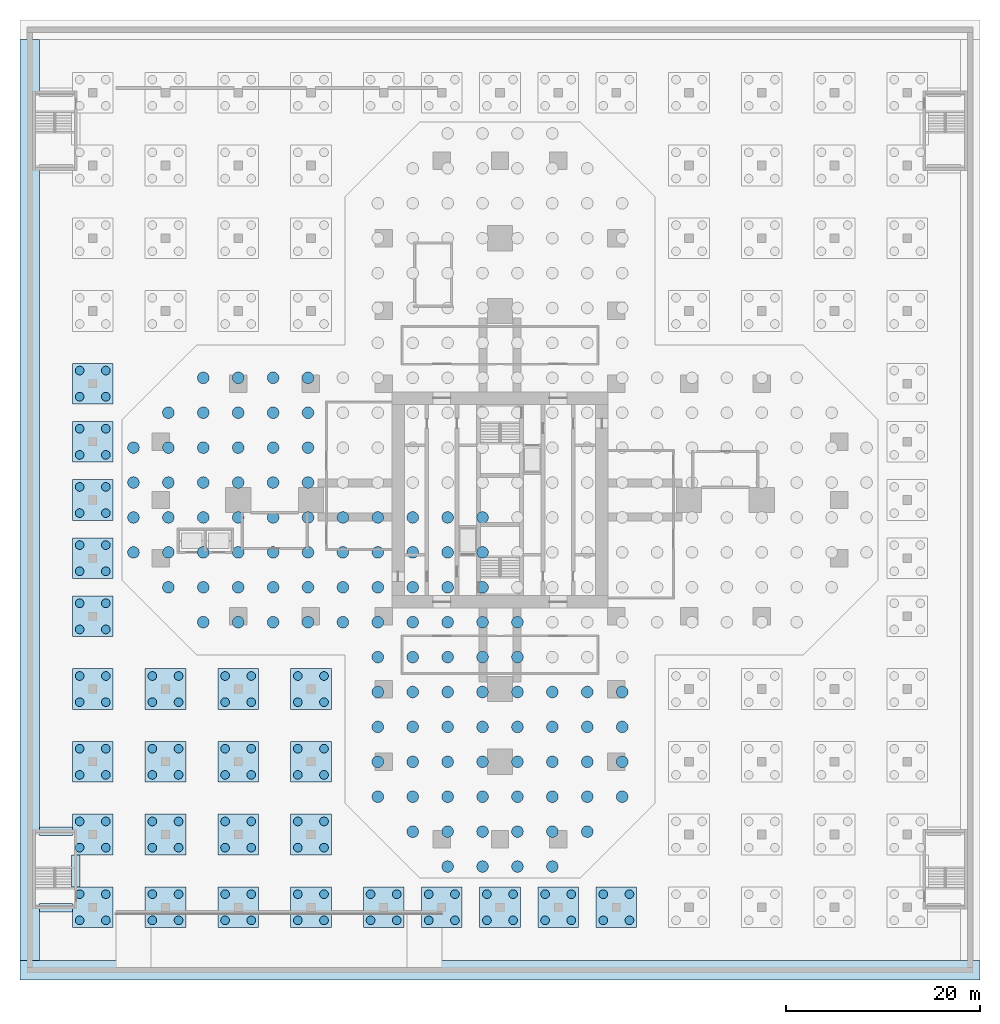
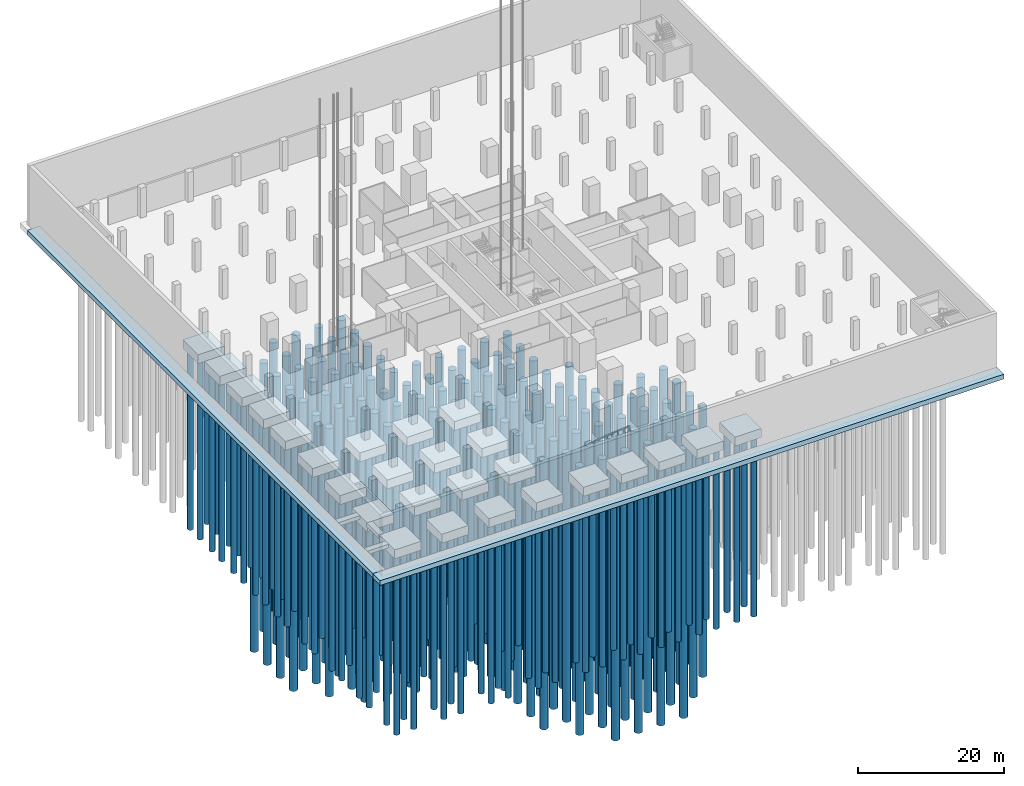
# One storey, part 1 of 31: 214 piles, 31 footings.
"""IFC4 building model written with IfcOpenShell, lengths in metres."""

from ifc_helpers import new_model, si_unit, direction, frame, origin, origin_2d, place, context, subcontext, project, spatial, rectangle, circle, extrude, material, layer, layer_set, material_profile, profile_set, type_object, element, save


model = new_model("IFC4")

# Units and contexts
model_context = context("Model", 3, precision=1e-05, world=origin(), true_north=direction((0.0, 1.0)))
body_context = subcontext(model_context, "Body", "Model", "MODEL_VIEW")
ifc_project = project(units=[si_unit("LENGTHUNIT", "METRE"), si_unit("AREAUNIT", "SQUARE_METRE"), si_unit("VOLUMEUNIT", "CUBIC_METRE"), si_unit("PLANEANGLEUNIT", "RADIAN"), si_unit("MASSUNIT", "GRAM", prefix="KILO")], contexts=[model_context])

# Site, building, storey
site_placement = place(None, origin())
site = spatial("IfcSite", under=ifc_project, at=site_placement, CompositionType="ELEMENT")
building_placement = place(site_placement, origin())
building = spatial("IfcBuilding", under=site, at=building_placement, Name="Mizan Broadcast Tower", CompositionType="ELEMENT")
storey_placement = place(building_placement, frame((0.0, 0.0, -10.0)))
storey = spatial("IfcBuildingStorey", under=building, at=storey_placement, Name="B2", CompositionType="ELEMENT", Elevation=-10.0)

# Piles
ifc_material_1 = material(Name="Concrete C40/50", Category="concrete")
ifc_material_profile_1 = material_profile(ifc_material_1, circle(Radius=0.60009765625, at=origin_2d()), Name="D1200")
ifc_profile_set_1 = profile_set([ifc_material_profile_1], Name="Concrete C40/50")
pile_type_1 = type_object("IfcPileType", Name="BORED PILE D1200", PredefinedType="BORED", material=ifc_profile_set_1)
for number, where, z_axis, x_axis, name in (
    (1, (-5.39990234375, -37.800048828125, -4.5), (0.0, 0.0, -1.0), (1.0, 0.0, 0.0), "Bored pile P1-001"),
    (2, (-1.800048828125, -37.800048828125, -4.5), (0.0, 0.0, -1.0), (1.0, 0.0, 0.0), "Bored pile P1-002"),
    (3, (1.800048828125, -37.800048828125, -4.5), (0.0, 0.0, -1.0), (1.0, 0.0, 0.0), "Bored pile P1-003"),
    (4, (5.39990234375, -37.800048828125, -4.5), (0.0, 0.0, -1.0), (1.0, 0.0, 0.0), "Bored pile P1-004"),
    (5, (-9.0, -34.199951171875, -4.5), (0.0, 0.0, -1.0), (1.0, 0.0, 0.0), "Bored pile P1-005"),
    (6, (-5.39990234375, -34.199951171875, -4.5), (0.0, 0.0, -1.0), (1.0, 0.0, 0.0), "Bored pile P1-006"),
    (7, (-1.800048828125, -34.199951171875, -4.5), (0.0, 0.0, -1.0), (1.0, 0.0, 0.0), "Bored pile P1-007"),
    (8, (1.800048828125, -34.199951171875, -4.5), (0.0, 0.0, -1.0), (1.0, 0.0, 0.0), "Bored pile P1-008"),
    (9, (5.39990234375, -34.199951171875, -4.5), (0.0, 0.0, -1.0), (1.0, 0.0, 0.0), "Bored pile P1-009"),
    (10, (9.0, -34.199951171875, -4.5), (0.0, 0.0, -1.0), (1.0, 0.0, 0.0), "Bored pile P1-010"),
    (11, (-12.60009765625, -30.60009765625, -4.5), (0.0, 0.0, -1.0), (1.0, 0.0, 0.0), "Bored pile P1-011"),
    (12, (-9.0, -30.60009765625, -4.5), (0.0, 0.0, -1.0), (1.0, 0.0, 0.0), "Bored pile P1-012"),
    (13, (-5.39990234375, -30.60009765625, -4.5), (0.0, 0.0, -1.0), (1.0, 0.0, 0.0), "Bored pile P1-013"),
    (14, (-1.800048828125, -30.60009765625, -4.5), (0.0, 0.0, -1.0), (1.0, 0.0, 0.0), "Bored pile P1-014"),
    (15, (1.800048828125, -30.60009765625, -4.5), (0.0, 0.0, -1.0), (1.0, 0.0, 0.0), "Bored pile P1-015"),
    (16, (5.39990234375, -30.60009765625, -4.5), (0.0, 0.0, -1.0), (1.0, 0.0, 0.0), "Bored pile P1-016"),
    (17, (9.0, -30.60009765625, -4.5), (0.0, 0.0, -1.0), (1.0, 0.0, 0.0), "Bored pile P1-017"),
    (18, (12.60009765625, -30.60009765625, -4.5), (0.0, 0.0, -1.0), (1.0, 0.0, 0.0), "Bored pile P1-018"),
    (19, (-12.60009765625, -27.0, -4.5), (0.0, 0.0, -1.0), (1.0, 0.0, 0.0), "Bored pile P1-019"),
    (20, (-9.0, -27.0, -4.5), (0.0, 0.0, -1.0), (1.0, 0.0, 0.0), "Bored pile P1-020"),
    (21, (-5.39990234375, -27.0, -4.5), (0.0, 0.0, -1.0), (1.0, 0.0, 0.0), "Bored pile P1-021"),
    (22, (-1.800048828125, -27.0, -4.5), (0.0, 0.0, -1.0), (1.0, 0.0, 0.0), "Bored pile P1-022"),
    (23, (1.800048828125, -27.0, -4.5), (0.0, 0.0, -1.0), (1.0, 0.0, 0.0), "Bored pile P1-023"),
    (24, (5.39990234375, -27.0, -4.5), (0.0, 0.0, -1.0), (1.0, 0.0, 0.0), "Bored pile P1-024"),
    (25, (9.0, -27.0, -4.5), (0.0, 0.0, -1.0), (1.0, 0.0, 0.0), "Bored pile P1-025"),
    (26, (12.60009765625, -27.0, -4.5), (0.0, 0.0, -1.0), (1.0, 0.0, 0.0), "Bored pile P1-026"),
    (27, (-12.60009765625, -23.39990234375, -4.5), (0.0, 0.0, -1.0), (1.0, 0.0, 0.0), "Bored pile P1-027"),
    (28, (-9.0, -23.39990234375, -4.5), (0.0, 0.0, -1.0), (1.0, 0.0, 0.0), "Bored pile P1-028"),
    (29, (-5.39990234375, -23.39990234375, -4.5), (0.0, 0.0, -1.0), (1.0, 0.0, 0.0), "Bored pile P1-029"),
    (30, (-1.800048828125, -23.39990234375, -4.5), (0.0, 0.0, -1.0), (1.0, 0.0, 0.0), "Bored pile P1-030"),
    (31, (1.800048828125, -23.39990234375, -4.5), (0.0, 0.0, -1.0), (1.0, 0.0, 0.0), "Bored pile P1-031"),
    (32, (5.39990234375, -23.39990234375, -4.5), (0.0, 0.0, -1.0), (1.0, 0.0, 0.0), "Bored pile P1-032"),
    (33, (9.0, -23.39990234375, -4.5), (0.0, 0.0, -1.0), (1.0, 0.0, 0.0), "Bored pile P1-033"),
    (34, (12.60009765625, -23.39990234375, -4.5), (0.0, 0.0, -1.0), (1.0, 0.0, 0.0), "Bored pile P1-034"),
    (35, (-12.60009765625, -19.800048828125, -4.5), (0.0, 0.0, -1.0), (1.0, 0.0, 0.0), "Bored pile P1-035"),
    (36, (-9.0, -19.800048828125, -4.5), (0.0, 0.0, -1.0), (1.0, 0.0, 0.0), "Bored pile P1-036"),
    (37, (-5.39990234375, -19.800048828125, -4.5), (0.0, 0.0, -1.0), (1.0, 0.0, 0.0), "Bored pile P1-037"),
    (38, (-1.800048828125, -19.800048828125, -4.5), (0.0, 0.0, -1.0), (1.0, 0.0, 0.0), "Bored pile P1-038"),
    (39, (1.800048828125, -19.800048828125, -4.5), (0.0, 0.0, -1.0), (1.0, 0.0, 0.0), "Bored pile P1-039"),
    (40, (5.39990234375, -19.800048828125, -4.5), (0.0, 0.0, -1.0), (1.0, 0.0, 0.0), "Bored pile P1-040"),
    (41, (9.0, -19.800048828125, -4.5), (0.0, 0.0, -1.0), (1.0, 0.0, 0.0), "Bored pile P1-041"),
    (42, (12.60009765625, -19.800048828125, -4.5), (0.0, 0.0, -1.0), (1.0, 0.0, 0.0), "Bored pile P1-042"),
    (43, (-12.60009765625, -16.199951171875, -4.5), (0.0, 0.0, -1.0), (1.0, 0.0, 0.0), "Bored pile P1-043"),
    (44, (-9.0, -16.199951171875, -4.5), (0.0, 0.0, -1.0), (1.0, 0.0, 0.0), "Bored pile P1-044"),
    (45, (-5.39990234375, -16.199951171875, -4.5), (0.0, 0.0, -1.0), (1.0, 0.0, 0.0), "Bored pile P1-045"),
    (46, (-1.800048828125, -16.199951171875, -4.5), (0.0, 0.0, -1.0), (1.0, 0.0, 0.0), "Bored pile P1-046"),
    (47, (1.800048828125, -16.199951171875, -4.5), (0.0, 0.0, -1.0), (1.0, 0.0, 0.0), "Bored pile P1-047"),
    (48, (-30.60009765625, -12.60009765625, -4.5), (0.0, 0.0, -1.0), (1.0, 0.0, 0.0), "Bored pile P1-051"),
    (49, (-27.0, -12.60009765625, -4.5), (0.0, 0.0, -1.0), (1.0, 0.0, 0.0), "Bored pile P1-052"),
    (50, (-23.39990234375, -12.60009765625, -4.5), (0.0, 0.0, -1.0), (1.0, 0.0, 0.0), "Bored pile P1-053"),
    (51, (-19.800048828125, -12.60009765625, -4.5), (0.0, 0.0, -1.0), (1.0, 0.0, 0.0), "Bored pile P1-054"),
    (52, (-16.199951171875, -12.60009765625, -4.5), (0.0, 0.0, -1.0), (1.0, 0.0, 0.0), "Bored pile P1-055"),
    (53, (-12.60009765625, -12.60009765625, -4.5), (0.0, 0.0, -1.0), (1.0, 0.0, 0.0), "Bored pile P1-056"),
    (54, (-9.0, -12.60009765625, -4.5), (0.0, 0.0, -1.0), (1.0, 0.0, 0.0), "Bored pile P1-057"),
    (55, (-5.39990234375, -12.60009765625, -4.5), (0.0, 0.0, -1.0), (1.0, 0.0, 0.0), "Bored pile P1-058"),
    (56, (-1.800048828125, -12.60009765625, -4.5), (0.0, 0.0, -1.0), (1.0, 0.0, 0.0), "Bored pile P1-059"),
    (57, (1.800048828125, -12.60009765625, -4.5), (0.0, 0.0, -1.0), (1.0, 0.0, 0.0), "Bored pile P1-060"),
    (58, (-34.199951171875, -9.0, -4.5), (0.0, 0.0, -1.0), (1.0, 0.0, 0.0), "Bored pile P1-069"),
    (59, (-30.60009765625, -9.0, -4.5), (0.0, 0.0, -1.0), (1.0, 0.0, 0.0), "Bored pile P1-070"),
    (60, (-27.0, -9.0, -4.5), (0.0, 0.0, -1.0), (1.0, 0.0, 0.0), "Bored pile P1-071"),
    (61, (-23.39990234375, -9.0, -4.5), (0.0, 0.0, -1.0), (1.0, 0.0, 0.0), "Bored pile P1-072"),
    (62, (-19.800048828125, -9.0, -4.5), (0.0, 0.0, -1.0), (1.0, 0.0, 0.0), "Bored pile P1-073"),
    (63, (-16.199951171875, -9.0, -4.5), (0.0, 0.0, -1.0), (1.0, 0.0, 0.0), "Bored pile P1-074"),
    (64, (-12.60009765625, -9.0, -4.5), (0.0, 0.0, -1.0), (1.0, 0.0, 0.0), "Bored pile P1-075"),
    (65, (-9.0, -9.0, -4.5), (0.0, 0.0, -1.0), (1.0, 0.0, 0.0), "Bored pile P1-076"),
    (66, (-5.39990234375, -9.0, -4.5), (0.0, 0.0, -1.0), (1.0, 0.0, 0.0), "Bored pile P1-077"),
    (67, (-1.800048828125, -9.0, -4.5), (0.0, 0.0, -1.0), (1.0, 0.0, 0.0), "Bored pile P1-078"),
    (68, (-37.800048828125, -5.39990234375, -4.5), (0.0, 0.0, -1.0), (1.0, 0.0, 0.0), "Bored pile P1-089"),
    (69, (-34.199951171875, -5.39990234375, -4.5), (0.0, 0.0, -1.0), (1.0, 0.0, 0.0), "Bored pile P1-090"),
    (70, (-30.60009765625, -5.39990234375, -4.5), (0.0, 0.0, -1.0), (1.0, 0.0, 0.0), "Bored pile P1-091"),
    (71, (-27.0, -5.39990234375, -4.5), (0.0, 0.0, -1.0), (1.0, 0.0, 0.0), "Bored pile P1-092"),
    (72, (-23.39990234375, -5.39990234375, -4.5), (0.0, 0.0, -1.0), (1.0, 0.0, 0.0), "Bored pile P1-093"),
    (73, (-19.800048828125, -5.39990234375, -4.5), (0.0, 0.0, -1.0), (1.0, 0.0, 0.0), "Bored pile P1-094"),
    (74, (-16.199951171875, -5.39990234375, -4.5), (0.0, 0.0, -1.0), (1.0, 0.0, 0.0), "Bored pile P1-095"),
    (75, (-12.60009765625, -5.39990234375, -4.5), (0.0, 0.0, -1.0), (1.0, 0.0, 0.0), "Bored pile P1-096"),
    (76, (-9.0, -5.39990234375, -4.5), (0.0, 0.0, -1.0), (1.0, 0.0, 0.0), "Bored pile P1-097"),
    (77, (-5.39990234375, -5.39990234375, -4.5), (0.0, 0.0, -1.0), (1.0, 0.0, 0.0), "Bored pile P1-098"),
    (78, (-1.800048828125, -5.39990234375, -4.5), (0.0, 0.0, -1.0), (1.0, 0.0, 0.0), "Bored pile P1-099"),
    (79, (-37.800048828125, -1.800048828125, -4.5), (0.0, 0.0, -1.0), (1.0, 0.0, 0.0), "Bored pile P1-111"),
    (80, (-34.199951171875, -1.800048828125, -4.5), (0.0, 0.0, -1.0), (1.0, 0.0, 0.0), "Bored pile P1-112"),
    (81, (-30.60009765625, -1.800048828125, -4.5), (0.0, 0.0, -1.0), (1.0, 0.0, 0.0), "Bored pile P1-113"),
    (82, (-27.0, -1.800048828125, -4.5), (0.0, 0.0, -1.0), (1.0, 0.0, 0.0), "Bored pile P1-114"),
    (83, (-23.39990234375, -1.800048828125, -4.5), (0.0, 0.0, -1.0), (1.0, 0.0, 0.0), "Bored pile P1-115"),
    (84, (-19.800048828125, -1.800048828125, -4.5), (0.0, 0.0, -1.0), (1.0, 0.0, 0.0), "Bored pile P1-116"),
    (85, (-16.199951171875, -1.800048828125, -4.5), (0.0, 0.0, -1.0), (1.0, 0.0, 0.0), "Bored pile P1-117"),
    (86, (-12.60009765625, -1.800048828125, -4.5), (0.0, 0.0, -1.0), (1.0, 0.0, 0.0), "Bored pile P1-118"),
    (87, (-9.0, -1.800048828125, -4.5), (0.0, 0.0, -1.0), (1.0, 0.0, 0.0), "Bored pile P1-119"),
    (88, (-5.39990234375, -1.800048828125, -4.5), (0.0, 0.0, -1.0), (1.0, 0.0, 0.0), "Bored pile P1-120"),
    (89, (-1.800048828125, -1.800048828125, -4.5), (0.0, 0.0, -1.0), (1.0, 0.0, 0.0), "Bored pile P1-121"),
    (90, (-37.800048828125, 1.800048828125, -4.5), (0.0, 0.0, -1.0), (1.0, 0.0, 0.0), "Bored pile P1-133"),
    (91, (-34.199951171875, 1.800048828125, -4.5), (0.0, 0.0, -1.0), (1.0, 0.0, 0.0), "Bored pile P1-134"),
    (92, (-30.60009765625, 1.800048828125, -4.5), (0.0, 0.0, -1.0), (1.0, 0.0, 0.0), "Bored pile P1-135"),
    (93, (-27.0, 1.800048828125, -4.5), (0.0, 0.0, -1.0), (1.0, 0.0, 0.0), "Bored pile P1-136"),
    (94, (-23.39990234375, 1.800048828125, -4.5), (0.0, 0.0, -1.0), (1.0, 0.0, 0.0), "Bored pile P1-137"),
    (95, (-19.800048828125, 1.800048828125, -4.5), (0.0, 0.0, -1.0), (1.0, 0.0, 0.0), "Bored pile P1-138"),
    (96, (-37.800048828125, 5.39990234375, -4.5), (0.0, 0.0, -1.0), (1.0, 0.0, 0.0), "Bored pile P1-155"),
    (97, (-34.199951171875, 5.39990234375, -4.5), (0.0, 0.0, -1.0), (1.0, 0.0, 0.0), "Bored pile P1-156"),
    (98, (-30.60009765625, 5.39990234375, -4.5), (0.0, 0.0, -1.0), (1.0, 0.0, 0.0), "Bored pile P1-157"),
    (99, (-27.0, 5.39990234375, -4.5), (0.0, 0.0, -1.0), (1.0, 0.0, 0.0), "Bored pile P1-158"),
    (100, (-23.39990234375, 5.39990234375, -4.5), (0.0, 0.0, -1.0), (1.0, 0.0, 0.0), "Bored pile P1-159"),
    (101, (-19.800048828125, 5.39990234375, -4.5), (0.0, 0.0, -1.0), (1.0, 0.0, 0.0), "Bored pile P1-160"),
    (102, (-34.199951171875, 9.0, -4.5), (0.0, 0.0, -1.0), (1.0, 0.0, 0.0), "Bored pile P1-177"),
    (103, (-30.60009765625, 9.0, -4.5), (0.0, 0.0, -1.0), (1.0, 0.0, 0.0), "Bored pile P1-178"),
    (104, (-27.0, 9.0, -4.5), (0.0, 0.0, -1.0), (1.0, 0.0, 0.0), "Bored pile P1-179"),
    (105, (-23.39990234375, 9.0, -4.5), (0.0, 0.0, -1.0), (1.0, 0.0, 0.0), "Bored pile P1-180"),
    (106, (-19.800048828125, 9.0, -4.5), (0.0, 0.0, -1.0), (1.0, 0.0, 0.0), "Bored pile P1-181"),
    (107, (-30.60009765625, 12.60009765625, -4.5), (0.0, 0.0, -1.0), (1.0, 0.0, 0.0), "Bored pile P1-197"),
    (108, (-27.0, 12.60009765625, -4.5), (0.0, 0.0, -1.0), (1.0, 0.0, 0.0), "Bored pile P1-198"),
    (109, (-23.39990234375, 12.60009765625, -4.5), (0.0, 0.0, -1.0), (1.0, 0.0, 0.0), "Bored pile P1-199"),
    (110, (-19.800048828125, 12.60009765625, -4.5), (0.0, 0.0, -1.0), (1.0, 0.0, 0.0), "Bored pile P1-200"),
):
    element("IfcPile", number, at=place(storey_placement, frame(where, z_axis=z_axis, x_axis=x_axis)), inside=storey, type_object=pile_type_1, Name=name, PredefinedType="BORED", context=body_context, shape_type="SweptSolid", body=[
        extrude(circle(Radius=0.60009765625, at=origin_2d()), origin(), (0.0, 0.0, 1.0), 45.0),
    ])
ifc_material_2 = material(Name="Concrete C40/50", Category="concrete")
ifc_material_profile_2 = material_profile(ifc_material_2, circle(Radius=0.449951171875, at=origin_2d()), Name="D900")
ifc_profile_set_2 = profile_set([ifc_material_profile_2], Name="Concrete C40/50")
pile_type_2 = type_object("IfcPileType", Name="BORED PILE D900", PredefinedType="BORED", material=ifc_profile_set_2)
for number, where, z_axis, x_axis, name in (
    (111, (-43.35009765625, -43.35009765625, -2.0), (0.0, 0.0, -1.0), (1.0, 0.0, 0.0), "Bored pile P2 under cap at -42, -42"),
    (112, (-40.64990234375, -43.35009765625, -2.0), (0.0, 0.0, -1.0), (1.0, 0.0, 0.0), "Bored pile P2 under cap at -42, -42"),
    (113, (-40.64990234375, -40.64990234375, -2.0), (0.0, 0.0, -1.0), (1.0, 0.0, 0.0), "Bored pile P2 under cap at -42, -42"),
    (114, (-43.35009765625, -40.64990234375, -2.0), (0.0, 0.0, -1.0), (1.0, 0.0, 0.0), "Bored pile P2 under cap at -42, -42"),
    (115, (-35.85009765625, -43.35009765625, -2.0), (0.0, 0.0, -1.0), (1.0, 0.0, 0.0), "Bored pile P2 under cap at -34.5, -42"),
    (116, (-33.14990234375, -43.35009765625, -2.0), (0.0, 0.0, -1.0), (1.0, 0.0, 0.0), "Bored pile P2 under cap at -34.5, -42"),
    (117, (-33.14990234375, -40.64990234375, -2.0), (0.0, 0.0, -1.0), (1.0, 0.0, 0.0), "Bored pile P2 under cap at -34.5, -42"),
    (118, (-35.85009765625, -40.64990234375, -2.0), (0.0, 0.0, -1.0), (1.0, 0.0, 0.0), "Bored pile P2 under cap at -34.5, -42"),
    (119, (-28.35009765625, -43.35009765625, -2.0), (0.0, 0.0, -1.0), (1.0, 0.0, 0.0), "Bored pile P2 under cap at -27, -42"),
    (120, (-25.64990234375, -43.35009765625, -2.0), (0.0, 0.0, -1.0), (1.0, 0.0, 0.0), "Bored pile P2 under cap at -27, -42"),
    (121, (-25.64990234375, -40.64990234375, -2.0), (0.0, 0.0, -1.0), (1.0, 0.0, 0.0), "Bored pile P2 under cap at -27, -42"),
    (122, (-28.35009765625, -40.64990234375, -2.0), (0.0, 0.0, -1.0), (1.0, 0.0, 0.0), "Bored pile P2 under cap at -27, -42"),
    (123, (-20.85009765625, -43.35009765625, -2.0), (0.0, 0.0, -1.0), (1.0, 0.0, 0.0), "Bored pile P2 under cap at -19.5, -42"),
    (124, (-18.14990234375, -43.35009765625, -2.0), (0.0, 0.0, -1.0), (1.0, 0.0, 0.0), "Bored pile P2 under cap at -19.5, -42"),
    (125, (-18.14990234375, -40.64990234375, -2.0), (0.0, 0.0, -1.0), (1.0, 0.0, 0.0), "Bored pile P2 under cap at -19.5, -42"),
    (126, (-20.85009765625, -40.64990234375, -2.0), (0.0, 0.0, -1.0), (1.0, 0.0, 0.0), "Bored pile P2 under cap at -19.5, -42"),
    (127, (-13.35009765625, -43.35009765625, -2.0), (0.0, 0.0, -1.0), (1.0, 0.0, 0.0), "Bored pile P2 under cap at -12, -42"),
    (128, (-10.64990234375, -43.35009765625, -2.0), (0.0, 0.0, -1.0), (1.0, 0.0, 0.0), "Bored pile P2 under cap at -12, -42"),
    (129, (-10.64990234375, -40.64990234375, -2.0), (0.0, 0.0, -1.0), (1.0, 0.0, 0.0), "Bored pile P2 under cap at -12, -42"),
    (130, (-13.35009765625, -40.64990234375, -2.0), (0.0, 0.0, -1.0), (1.0, 0.0, 0.0), "Bored pile P2 under cap at -12, -42"),
    (131, (-7.35009765625, -43.35009765625, -2.0), (0.0, 0.0, -1.0), (1.0, 0.0, 0.0), "Bored pile P2 under cap at -6, -42"),
    (132, (-4.64990234375, -43.35009765625, -2.0), (0.0, 0.0, -1.0), (1.0, 0.0, 0.0), "Bored pile P2 under cap at -6, -42"),
    (133, (-4.64990234375, -40.64990234375, -2.0), (0.0, 0.0, -1.0), (1.0, 0.0, 0.0), "Bored pile P2 under cap at -6, -42"),
    (134, (-7.35009765625, -40.64990234375, -2.0), (0.0, 0.0, -1.0), (1.0, 0.0, 0.0), "Bored pile P2 under cap at -6, -42"),
    (135, (-1.35009765625, -43.35009765625, -2.0), (0.0, 0.0, -1.0), (1.0, 0.0, 0.0), "Bored pile P2 under cap at 0, -42"),
    (136, (1.35009765625, -43.35009765625, -2.0), (0.0, 0.0, -1.0), (1.0, 0.0, 0.0), "Bored pile P2 under cap at 0, -42"),
    (137, (1.35009765625, -40.64990234375, -2.0), (0.0, 0.0, -1.0), (1.0, 0.0, 0.0), "Bored pile P2 under cap at 0, -42"),
    (138, (-1.35009765625, -40.64990234375, -2.0), (0.0, 0.0, -1.0), (1.0, 0.0, 0.0), "Bored pile P2 under cap at 0, -42"),
    (139, (4.64990234375, -43.35009765625, -2.0), (0.0, 0.0, -1.0), (1.0, 0.0, 0.0), "Bored pile P2 under cap at 6, -42"),
    (140, (7.35009765625, -43.35009765625, -2.0), (0.0, 0.0, -1.0), (1.0, 0.0, 0.0), "Bored pile P2 under cap at 6, -42"),
    (141, (7.35009765625, -40.64990234375, -2.0), (0.0, 0.0, -1.0), (1.0, 0.0, 0.0), "Bored pile P2 under cap at 6, -42"),
    (142, (4.64990234375, -40.64990234375, -2.0), (0.0, 0.0, -1.0), (1.0, 0.0, 0.0), "Bored pile P2 under cap at 6, -42"),
    (143, (10.64990234375, -43.35009765625, -2.0), (0.0, 0.0, -1.0), (1.0, 0.0, 0.0), "Bored pile P2 under cap at 12, -42"),
    (144, (13.35009765625, -43.35009765625, -2.0), (0.0, 0.0, -1.0), (1.0, 0.0, 0.0), "Bored pile P2 under cap at 12, -42"),
    (145, (13.35009765625, -40.64990234375, -2.0), (0.0, 0.0, -1.0), (1.0, 0.0, 0.0), "Bored pile P2 under cap at 12, -42"),
    (146, (10.64990234375, -40.64990234375, -2.0), (0.0, 0.0, -1.0), (1.0, 0.0, 0.0), "Bored pile P2 under cap at 12, -42"),
    (147, (-43.35009765625, -35.85009765625, -2.0), (0.0, 0.0, -1.0), (1.0, 0.0, 0.0), "Bored pile P2 under cap at -42, -34.5"),
    (148, (-40.64990234375, -35.85009765625, -2.0), (0.0, 0.0, -1.0), (1.0, 0.0, 0.0), "Bored pile P2 under cap at -42, -34.5"),
    (149, (-40.64990234375, -33.14990234375, -2.0), (0.0, 0.0, -1.0), (1.0, 0.0, 0.0), "Bored pile P2 under cap at -42, -34.5"),
    (150, (-43.35009765625, -33.14990234375, -2.0), (0.0, 0.0, -1.0), (1.0, 0.0, 0.0), "Bored pile P2 under cap at -42, -34.5"),
    (151, (-35.85009765625, -35.85009765625, -2.0), (0.0, 0.0, -1.0), (1.0, 0.0, 0.0), "Bored pile P2 under cap at -34.5, -34.5"),
    (152, (-33.14990234375, -35.85009765625, -2.0), (0.0, 0.0, -1.0), (1.0, 0.0, 0.0), "Bored pile P2 under cap at -34.5, -34.5"),
    (153, (-33.14990234375, -33.14990234375, -2.0), (0.0, 0.0, -1.0), (1.0, 0.0, 0.0), "Bored pile P2 under cap at -34.5, -34.5"),
    (154, (-35.85009765625, -33.14990234375, -2.0), (0.0, 0.0, -1.0), (1.0, 0.0, 0.0), "Bored pile P2 under cap at -34.5, -34.5"),
    (155, (-28.35009765625, -35.85009765625, -2.0), (0.0, 0.0, -1.0), (1.0, 0.0, 0.0), "Bored pile P2 under cap at -27, -34.5"),
    (156, (-25.64990234375, -35.85009765625, -2.0), (0.0, 0.0, -1.0), (1.0, 0.0, 0.0), "Bored pile P2 under cap at -27, -34.5"),
    (157, (-25.64990234375, -33.14990234375, -2.0), (0.0, 0.0, -1.0), (1.0, 0.0, 0.0), "Bored pile P2 under cap at -27, -34.5"),
    (158, (-28.35009765625, -33.14990234375, -2.0), (0.0, 0.0, -1.0), (1.0, 0.0, 0.0), "Bored pile P2 under cap at -27, -34.5"),
    (159, (-20.85009765625, -35.85009765625, -2.0), (0.0, 0.0, -1.0), (1.0, 0.0, 0.0), "Bored pile P2 under cap at -19.5, -34.5"),
    (160, (-18.14990234375, -35.85009765625, -2.0), (0.0, 0.0, -1.0), (1.0, 0.0, 0.0), "Bored pile P2 under cap at -19.5, -34.5"),
    (161, (-18.14990234375, -33.14990234375, -2.0), (0.0, 0.0, -1.0), (1.0, 0.0, 0.0), "Bored pile P2 under cap at -19.5, -34.5"),
    (162, (-20.85009765625, -33.14990234375, -2.0), (0.0, 0.0, -1.0), (1.0, 0.0, 0.0), "Bored pile P2 under cap at -19.5, -34.5"),
    (163, (-43.35009765625, -28.35009765625, -2.0), (0.0, 0.0, -1.0), (1.0, 0.0, 0.0), "Bored pile P2 under cap at -42, -27"),
    (164, (-40.64990234375, -28.35009765625, -2.0), (0.0, 0.0, -1.0), (1.0, 0.0, 0.0), "Bored pile P2 under cap at -42, -27"),
    (165, (-40.64990234375, -25.64990234375, -2.0), (0.0, 0.0, -1.0), (1.0, 0.0, 0.0), "Bored pile P2 under cap at -42, -27"),
    (166, (-43.35009765625, -25.64990234375, -2.0), (0.0, 0.0, -1.0), (1.0, 0.0, 0.0), "Bored pile P2 under cap at -42, -27"),
    (167, (-35.85009765625, -28.35009765625, -2.0), (0.0, 0.0, -1.0), (1.0, 0.0, 0.0), "Bored pile P2 under cap at -34.5, -27"),
    (168, (-33.14990234375, -28.35009765625, -2.0), (0.0, 0.0, -1.0), (1.0, 0.0, 0.0), "Bored pile P2 under cap at -34.5, -27"),
    (169, (-33.14990234375, -25.64990234375, -2.0), (0.0, 0.0, -1.0), (1.0, 0.0, 0.0), "Bored pile P2 under cap at -34.5, -27"),
    (170, (-35.85009765625, -25.64990234375, -2.0), (0.0, 0.0, -1.0), (1.0, 0.0, 0.0), "Bored pile P2 under cap at -34.5, -27"),
    (171, (-28.35009765625, -28.35009765625, -2.0), (0.0, 0.0, -1.0), (1.0, 0.0, 0.0), "Bored pile P2 under cap at -27, -27"),
    (172, (-25.64990234375, -28.35009765625, -2.0), (0.0, 0.0, -1.0), (1.0, 0.0, 0.0), "Bored pile P2 under cap at -27, -27"),
    (173, (-25.64990234375, -25.64990234375, -2.0), (0.0, 0.0, -1.0), (1.0, 0.0, 0.0), "Bored pile P2 under cap at -27, -27"),
    (174, (-28.35009765625, -25.64990234375, -2.0), (0.0, 0.0, -1.0), (1.0, 0.0, 0.0), "Bored pile P2 under cap at -27, -27"),
    (175, (-20.85009765625, -28.35009765625, -2.0), (0.0, 0.0, -1.0), (1.0, 0.0, 0.0), "Bored pile P2 under cap at -19.5, -27"),
    (176, (-18.14990234375, -28.35009765625, -2.0), (0.0, 0.0, -1.0), (1.0, 0.0, 0.0), "Bored pile P2 under cap at -19.5, -27"),
    (177, (-18.14990234375, -25.64990234375, -2.0), (0.0, 0.0, -1.0), (1.0, 0.0, 0.0), "Bored pile P2 under cap at -19.5, -27"),
    (178, (-20.85009765625, -25.64990234375, -2.0), (0.0, 0.0, -1.0), (1.0, 0.0, 0.0), "Bored pile P2 under cap at -19.5, -27"),
    (179, (-43.35009765625, -20.85009765625, -2.0), (0.0, 0.0, -1.0), (1.0, 0.0, 0.0), "Bored pile P2 under cap at -42, -19.5"),
    (180, (-40.64990234375, -20.85009765625, -2.0), (0.0, 0.0, -1.0), (1.0, 0.0, 0.0), "Bored pile P2 under cap at -42, -19.5"),
    (181, (-40.64990234375, -18.14990234375, -2.0), (0.0, 0.0, -1.0), (1.0, 0.0, 0.0), "Bored pile P2 under cap at -42, -19.5"),
    (182, (-43.35009765625, -18.14990234375, -2.0), (0.0, 0.0, -1.0), (1.0, 0.0, 0.0), "Bored pile P2 under cap at -42, -19.5"),
    (183, (-35.85009765625, -20.85009765625, -2.0), (0.0, 0.0, -1.0), (1.0, 0.0, 0.0), "Bored pile P2 under cap at -34.5, -19.5"),
    (184, (-33.14990234375, -20.85009765625, -2.0), (0.0, 0.0, -1.0), (1.0, 0.0, 0.0), "Bored pile P2 under cap at -34.5, -19.5"),
    (185, (-33.14990234375, -18.14990234375, -2.0), (0.0, 0.0, -1.0), (1.0, 0.0, 0.0), "Bored pile P2 under cap at -34.5, -19.5"),
    (186, (-35.85009765625, -18.14990234375, -2.0), (0.0, 0.0, -1.0), (1.0, 0.0, 0.0), "Bored pile P2 under cap at -34.5, -19.5"),
    (187, (-28.35009765625, -20.85009765625, -2.0), (0.0, 0.0, -1.0), (1.0, 0.0, 0.0), "Bored pile P2 under cap at -27, -19.5"),
    (188, (-25.64990234375, -20.85009765625, -2.0), (0.0, 0.0, -1.0), (1.0, 0.0, 0.0), "Bored pile P2 under cap at -27, -19.5"),
    (189, (-25.64990234375, -18.14990234375, -2.0), (0.0, 0.0, -1.0), (1.0, 0.0, 0.0), "Bored pile P2 under cap at -27, -19.5"),
    (190, (-28.35009765625, -18.14990234375, -2.0), (0.0, 0.0, -1.0), (1.0, 0.0, 0.0), "Bored pile P2 under cap at -27, -19.5"),
    (191, (-20.85009765625, -20.85009765625, -2.0), (0.0, 0.0, -1.0), (1.0, 0.0, 0.0), "Bored pile P2 under cap at -19.5, -19.5"),
    (192, (-18.14990234375, -20.85009765625, -2.0), (0.0, 0.0, -1.0), (1.0, 0.0, 0.0), "Bored pile P2 under cap at -19.5, -19.5"),
    (193, (-18.14990234375, -18.14990234375, -2.0), (0.0, 0.0, -1.0), (1.0, 0.0, 0.0), "Bored pile P2 under cap at -19.5, -19.5"),
    (194, (-20.85009765625, -18.14990234375, -2.0), (0.0, 0.0, -1.0), (1.0, 0.0, 0.0), "Bored pile P2 under cap at -19.5, -19.5"),
    (195, (-43.35009765625, -13.35009765625, -2.0), (0.0, 0.0, -1.0), (1.0, 0.0, 0.0), "Bored pile P2 under cap at -42, -12"),
    (196, (-40.64990234375, -13.35009765625, -2.0), (0.0, 0.0, -1.0), (1.0, 0.0, 0.0), "Bored pile P2 under cap at -42, -12"),
    (197, (-40.64990234375, -10.64990234375, -2.0), (0.0, 0.0, -1.0), (1.0, 0.0, 0.0), "Bored pile P2 under cap at -42, -12"),
    (198, (-43.35009765625, -10.64990234375, -2.0), (0.0, 0.0, -1.0), (1.0, 0.0, 0.0), "Bored pile P2 under cap at -42, -12"),
    (199, (-43.35009765625, -7.35009765625, -2.0), (0.0, 0.0, -1.0), (1.0, 0.0, 0.0), "Bored pile P2 under cap at -42, -6"),
    (200, (-40.64990234375, -7.35009765625, -2.0), (0.0, 0.0, -1.0), (1.0, 0.0, 0.0), "Bored pile P2 under cap at -42, -6"),
    (201, (-40.64990234375, -4.64990234375, -2.0), (0.0, 0.0, -1.0), (1.0, 0.0, 0.0), "Bored pile P2 under cap at -42, -6"),
    (202, (-43.35009765625, -4.64990234375, -2.0), (0.0, 0.0, -1.0), (1.0, 0.0, 0.0), "Bored pile P2 under cap at -42, -6"),
    (203, (-43.35009765625, -1.35009765625, -2.0), (0.0, 0.0, -1.0), (1.0, 0.0, 0.0), "Bored pile P2 under cap at -42, 0"),
    (204, (-40.64990234375, -1.35009765625, -2.0), (0.0, 0.0, -1.0), (1.0, 0.0, 0.0), "Bored pile P2 under cap at -42, 0"),
    (205, (-40.64990234375, 1.35009765625, -2.0), (0.0, 0.0, -1.0), (1.0, 0.0, 0.0), "Bored pile P2 under cap at -42, 0"),
    (206, (-43.35009765625, 1.35009765625, -2.0), (0.0, 0.0, -1.0), (1.0, 0.0, 0.0), "Bored pile P2 under cap at -42, 0"),
    (207, (-43.35009765625, 4.64990234375, -2.0), (0.0, 0.0, -1.0), (1.0, 0.0, 0.0), "Bored pile P2 under cap at -42, 6"),
    (208, (-40.64990234375, 4.64990234375, -2.0), (0.0, 0.0, -1.0), (1.0, 0.0, 0.0), "Bored pile P2 under cap at -42, 6"),
    (209, (-40.64990234375, 7.35009765625, -2.0), (0.0, 0.0, -1.0), (1.0, 0.0, 0.0), "Bored pile P2 under cap at -42, 6"),
    (210, (-43.35009765625, 7.35009765625, -2.0), (0.0, 0.0, -1.0), (1.0, 0.0, 0.0), "Bored pile P2 under cap at -42, 6"),
    (211, (-43.35009765625, 10.64990234375, -2.0), (0.0, 0.0, -1.0), (1.0, 0.0, 0.0), "Bored pile P2 under cap at -42, 12"),
    (212, (-40.64990234375, 10.64990234375, -2.0), (0.0, 0.0, -1.0), (1.0, 0.0, 0.0), "Bored pile P2 under cap at -42, 12"),
    (213, (-40.64990234375, 13.35009765625, -2.0), (0.0, 0.0, -1.0), (1.0, 0.0, 0.0), "Bored pile P2 under cap at -42, 12"),
    (214, (-43.35009765625, 13.35009765625, -2.0), (0.0, 0.0, -1.0), (1.0, 0.0, 0.0), "Bored pile P2 under cap at -42, 12"),
):
    element("IfcPile", number, at=place(storey_placement, frame(where, z_axis=z_axis, x_axis=x_axis)), inside=storey, type_object=pile_type_2, Name=name, PredefinedType="BORED", context=body_context, shape_type="SweptSolid", body=[
        extrude(circle(Radius=0.449951171875, at=origin_2d()), origin(), (0.0, 0.0, 1.0), 30.0),
    ])

# Footings
ifc_material_3 = material(Name="Concrete C40/50", Category="concrete")
ifc_layer_1 = layer(ifc_material_3, 1.5)
ifc_layer_set_1 = layer_set([ifc_layer_1], Name="Concrete C40/50")
footing_type_1 = type_object("IfcFootingType", Name="PILE CAP PC4 4200x4200", PredefinedType="PILE_CAP", material=ifc_layer_set_1)
for number, where, z_axis, x_axis, name in (
    (215, (-42.0, -42.0, -2.0), (0.0, 0.0, 1.0), (1.0, 0.0, 0.0), "Pile cap PC4 at -42, -42"),
    (216, (-34.5, -42.0, -2.0), (0.0, 0.0, 1.0), (1.0, 0.0, 0.0), "Pile cap PC4 at -34.5, -42"),
    (217, (-27.0, -42.0, -2.0), (0.0, 0.0, 1.0), (1.0, 0.0, 0.0), "Pile cap PC4 at -27, -42"),
    (218, (-19.5, -42.0, -2.0), (0.0, 0.0, 1.0), (1.0, 0.0, 0.0), "Pile cap PC4 at -19.5, -42"),
    (219, (-12.0, -42.0, -2.0), (0.0, 0.0, 1.0), (1.0, 0.0, 0.0), "Pile cap PC4 at -12, -42"),
    (220, (-6.0, -42.0, -2.0), (0.0, 0.0, 1.0), (1.0, 0.0, 0.0), "Pile cap PC4 at -6, -42"),
    (221, (0.0, -42.0, -2.0), (0.0, 0.0, 1.0), (1.0, 0.0, 0.0), "Pile cap PC4 at 0, -42"),
    (222, (6.0, -42.0, -2.0), (0.0, 0.0, 1.0), (1.0, 0.0, 0.0), "Pile cap PC4 at 6, -42"),
    (223, (12.0, -42.0, -2.0), (0.0, 0.0, 1.0), (1.0, 0.0, 0.0), "Pile cap PC4 at 12, -42"),
    (224, (-42.0, -34.5, -2.0), (0.0, 0.0, 1.0), (1.0, 0.0, 0.0), "Pile cap PC4 at -42, -34.5"),
    (225, (-34.5, -34.5, -2.0), (0.0, 0.0, 1.0), (1.0, 0.0, 0.0), "Pile cap PC4 at -34.5, -34.5"),
    (226, (-27.0, -34.5, -2.0), (0.0, 0.0, 1.0), (1.0, 0.0, 0.0), "Pile cap PC4 at -27, -34.5"),
    (227, (-19.5, -34.5, -2.0), (0.0, 0.0, 1.0), (1.0, 0.0, 0.0), "Pile cap PC4 at -19.5, -34.5"),
    (228, (-42.0, -27.0, -2.0), (0.0, 0.0, 1.0), (1.0, 0.0, 0.0), "Pile cap PC4 at -42, -27"),
    (229, (-34.5, -27.0, -2.0), (0.0, 0.0, 1.0), (1.0, 0.0, 0.0), "Pile cap PC4 at -34.5, -27"),
    (230, (-27.0, -27.0, -2.0), (0.0, 0.0, 1.0), (1.0, 0.0, 0.0), "Pile cap PC4 at -27, -27"),
    (231, (-19.5, -27.0, -2.0), (0.0, 0.0, 1.0), (1.0, 0.0, 0.0), "Pile cap PC4 at -19.5, -27"),
    (232, (-42.0, -19.5, -2.0), (0.0, 0.0, 1.0), (1.0, 0.0, 0.0), "Pile cap PC4 at -42, -19.5"),
    (233, (-34.5, -19.5, -2.0), (0.0, 0.0, 1.0), (1.0, 0.0, 0.0), "Pile cap PC4 at -34.5, -19.5"),
    (234, (-27.0, -19.5, -2.0), (0.0, 0.0, 1.0), (1.0, 0.0, 0.0), "Pile cap PC4 at -27, -19.5"),
    (235, (-19.5, -19.5, -2.0), (0.0, 0.0, 1.0), (1.0, 0.0, 0.0), "Pile cap PC4 at -19.5, -19.5"),
    (236, (-42.0, -12.0, -2.0), (0.0, 0.0, 1.0), (1.0, 0.0, 0.0), "Pile cap PC4 at -42, -12"),
    (237, (-42.0, -6.0, -2.0), (0.0, 0.0, 1.0), (1.0, 0.0, 0.0), "Pile cap PC4 at -42, -6"),
    (238, (-42.0, 0.0, -2.0), (0.0, 0.0, 1.0), (1.0, 0.0, 0.0), "Pile cap PC4 at -42, 0"),
    (239, (-42.0, 6.0, -2.0), (0.0, 0.0, 1.0), (1.0, 0.0, 0.0), "Pile cap PC4 at -42, 6"),
    (240, (-42.0, 12.0, -2.0), (0.0, 0.0, 1.0), (1.0, 0.0, 0.0), "Pile cap PC4 at -42, 12"),
):
    element("IfcFooting", number, at=place(storey_placement, frame(where, z_axis=z_axis, x_axis=x_axis)), inside=storey, type_object=footing_type_1, Name=name, PredefinedType="PILE_CAP", context=body_context, shape_type="SweptSolid", body=[
        extrude(rectangle(XDim=4.199951171875, YDim=4.199951171875, at=origin_2d()), origin(), (0.0, 0.0, 1.0), 1.5),
    ])
ifc_material_4 = material(Name="Concrete C40/50", Category="concrete")
ifc_layer_2 = layer(ifc_material_4, 0.800048828125)
ifc_layer_set_2 = layer_set([ifc_layer_2], Name="Concrete C40/50")
footing_type_2 = type_object("IfcFootingType", Name="STRIP FOOTING SF1 2000x800", PredefinedType="STRIP_FOOTING", material=ifc_layer_set_2)
footing_1_placement = place(storey_placement, frame((0.0, -48.5, -1.2998046875), z_axis=(0.0, 0.0, 1.0), x_axis=(1.0, 0.0, 0.0)))
element("IfcFooting", 241, at=footing_1_placement, inside=storey, type_object=footing_type_2, Name="Strip footing SF1 S", PredefinedType="STRIP_FOOTING", context=body_context, shape_type="SweptSolid", body=[
    extrude(rectangle(XDim=99.0, YDim=2.0, at=origin_2d()), origin(), (0.0, 0.0, 1.0), 0.800048828125),
])
footing_2_placement = place(storey_placement, frame((-48.5, 0.0, -1.2998046875), z_axis=(0.0, 0.0, 1.0), x_axis=(1.0, 0.0, 0.0)))
element("IfcFooting", 242, at=footing_2_placement, inside=storey, type_object=footing_type_2, Name="Strip footing SF1 W", PredefinedType="STRIP_FOOTING", context=body_context, shape_type="SweptSolid", body=[
    extrude(rectangle(XDim=2.0, YDim=95.0, at=origin_2d()), origin(), (0.0, 0.0, 1.0), 0.800048828125),
])
ifc_material_5 = material(Name="Concrete C40/50", Category="concrete")
ifc_layer_3 = layer(ifc_material_5, 0.60009765625)
ifc_layer_set_3 = layer_set([ifc_layer_3], Name="Concrete C40/50")
footing_type_3 = type_object("IfcFootingType", Name="STRIP FOOTING SF2 900x600", PredefinedType="STRIP_FOOTING", material=ifc_layer_set_3)
footing_3_placement = place(storey_placement, frame((-43.75, -38.25, -1.10009765625), z_axis=(0.0, 0.0, 1.0), x_axis=(1.0, 0.0, 0.0)))
element("IfcFooting", 243, at=footing_3_placement, inside=storey, type_object=footing_type_3, Name="Strip footing SF2 stair G I", PredefinedType="STRIP_FOOTING", context=body_context, shape_type="SweptSolid", body=[
    extrude(rectangle(XDim=0.89990234375, YDim=3.300048828125, at=origin_2d()), origin(), (0.0, 0.0, 1.0), 0.60009765625),
])
for number, where, z_axis, x_axis, name in (
    (244, (-45.800048828125, -42.050048828125, -1.10009765625), (0.0, 0.0, 1.0), (1.0, 0.0, 0.0), "Strip footing SF2 stair G D"),
    (245, (-45.800048828125, -34.14990234375, -1.10009765625), (0.0, 0.0, 1.0), (1.0, 0.0, 0.0), "Strip footing SF2 stair G F"),
):
    element("IfcFooting", number, at=place(storey_placement, frame(where, z_axis=z_axis, x_axis=x_axis)), inside=storey, type_object=footing_type_3, Name=name, PredefinedType="STRIP_FOOTING", context=body_context, shape_type="SweptSolid", body=[
        extrude(rectangle(XDim=3.39990234375, YDim=0.89990234375, at=origin_2d()), origin(), (0.0, 0.0, 1.0), 0.60009765625),
    ])

save(model, "model.ifc")
